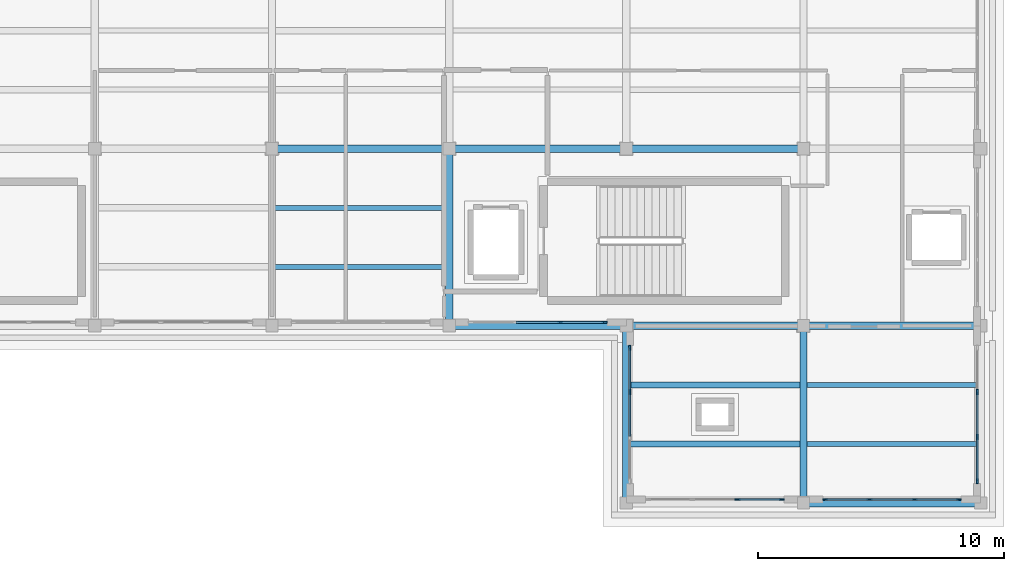
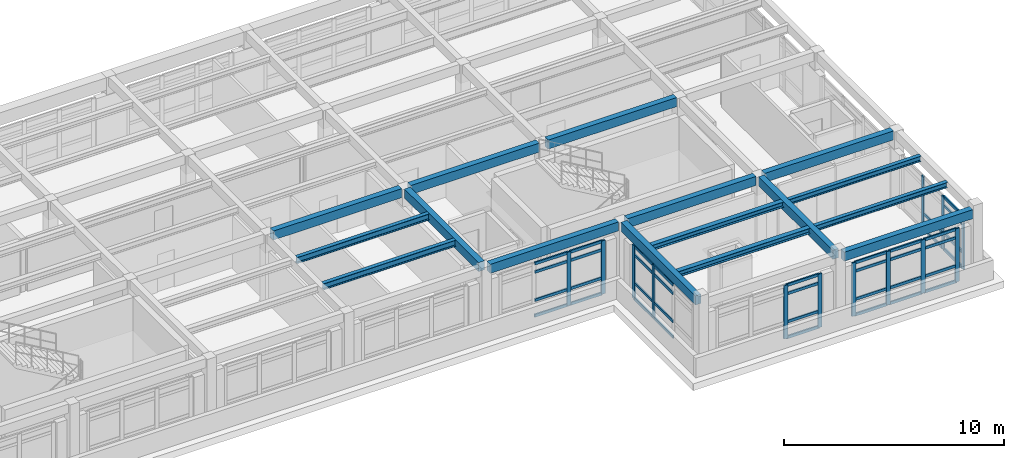
# One storey, part 6 of 18: 51 members, 16 beams, 5 elements without a shape of their own.
"""IFC4 building model written with IfcOpenShell, lengths in metres."""

from ifc_helpers import new_model, si_unit, direction, frame, origin, origin_2d, place, context, subcontext, project, spatial, rectangle, i_section, extrude, material, layer, layer_set, material_profile, profile_set, type_object, element, aggregate, save


model = new_model("IFC4")

# Units and contexts
model_context = context("Model", 3, precision=1e-05, world=origin(), true_north=direction((0.0, 1.0)))
body_context = subcontext(model_context, "Body", "Model", "MODEL_VIEW")
ifc_project = project(units=[si_unit("LENGTHUNIT", "METRE"), si_unit("AREAUNIT", "SQUARE_METRE"), si_unit("VOLUMEUNIT", "CUBIC_METRE"), si_unit("PLANEANGLEUNIT", "RADIAN"), si_unit("MASSUNIT", "GRAM", prefix="KILO")], contexts=[model_context])

# Site, building, storey
site_placement = place(None, origin())
site = spatial("IfcSite", under=ifc_project, at=site_placement, CompositionType="ELEMENT")
building_placement = place(site_placement, origin())
building = spatial("IfcBuilding", under=site, at=building_placement, Name="Solenvale Faculty of Natural Sciences", CompositionType="ELEMENT")
storey_placement = place(building_placement, frame((0.0, 0.0, 43.800048828125)))
storey = spatial("IfcBuildingStorey", under=building, at=storey_placement, Name="L10", CompositionType="ELEMENT", Elevation=43.800048828125)

# Beams
ifc_material_1 = material(Name="Concrete 40 MPa", Category="concrete")
ifc_material_profile_1 = material_profile(ifc_material_1, rectangle(XDim=0.300048828125, YDim=0.5, at=origin_2d()), Name="RC-BM-300x500")
ifc_profile_set_1 = profile_set([ifc_material_profile_1], Name="Concrete 40 MPa")
beam_type_1 = type_object("IfcBeamType", Name="BM-RC-300x500", PredefinedType="BEAM", material=ifc_profile_set_1)
for number, where, z_axis, x_axis, name in (
    (1, (144.22998046875, 86.39990234375, 3.669921875), (1.0, 0.0, 0.0), (0.0, 1.0, 0.0), "L10 X-Girder Y86.4 (144.0..151.2)"),
    (2, (129.830078125, 93.60009765625, 3.669921875), (1.0, 0.0, 0.0), (0.0, 1.0, 0.0), "L10 X-Girder Y93.6 (129.6..136.8)"),
    (3, (137.030029296875, 93.60009765625, 3.669921875), (1.0, 0.0, 0.0), (0.0, 1.0, 0.0), "L10 X-Girder Y93.6 (136.8..144.0)"),
    (4, (144.22998046875, 93.60009765625, 3.669921875), (1.0, 0.0, 0.0), (0.0, 1.0, 0.0), "L10 X-Girder Y93.6 (144.0..151.2)"),
):
    element("IfcBeam", number, at=place(storey_placement, frame(where, z_axis=z_axis, x_axis=x_axis)), inside=storey, type_object=beam_type_1, Name=name, PredefinedType="BEAM", context=body_context, shape_type="SweptSolid", body=[
        extrude(rectangle(XDim=0.300048828125, YDim=0.5, at=origin_2d()), origin(), (0.0, 0.0, 1.0), 6.739990234375),
    ])
beam_placement = place(storey_placement, frame((122.6298828125, 100.800048828125, 3.669921875), z_axis=(1.0, 0.0, 0.0), x_axis=(0.0, 1.0, 0.0)))
element("IfcBeam", 5, at=beam_placement, inside=storey, type_object=beam_type_1, Name="L10 X-Girder Y100.8 (122.4..129.6)", PredefinedType="BEAM", context=body_context, shape_type="SweptSolid", body=[
    extrude(rectangle(XDim=0.300048828125, YDim=0.5, at=origin_2d()), origin(), (0.0, 0.0, 1.0), 6.740234375),
])
for number, where, z_axis, x_axis, name in (
    (6, (129.830078125, 100.800048828125, 3.669921875), (1.0, 0.0, 0.0), (0.0, 1.0, 0.0), "L10 X-Girder Y100.8 (129.6..136.8)"),
    (7, (137.030029296875, 100.800048828125, 3.669921875), (1.0, 0.0, 0.0), (0.0, 1.0, 0.0), "L10 X-Girder Y100.8 (136.8..144.0)"),
    (8, (129.60009765625, 93.830078125, 3.669921875), (0.0, 1.0, 0.0), (-1.0, 0.0, 0.0), "L10 Y-Girder X129.6 (93.6..100.8)"),
):
    element("IfcBeam", number, at=place(storey_placement, frame(where, z_axis=z_axis, x_axis=x_axis)), inside=storey, type_object=beam_type_1, Name=name, PredefinedType="BEAM", context=body_context, shape_type="SweptSolid", body=[
        extrude(rectangle(XDim=0.300048828125, YDim=0.5, at=origin_2d()), origin(), (0.0, 0.0, 1.0), 6.739990234375),
    ])
for number, where, z_axis, x_axis, name in (
    (9, (136.800048828125, 86.6298828125, 3.669921875), (0.0, 1.0, 0.0), (-1.0, 0.0, 0.0), "L10 Y-Girder X136.8 (86.4..93.6)"),
    (10, (144.0, 86.6298828125, 3.669921875), (0.0, 1.0, 0.0), (-1.0, 0.0, 0.0), "L10 Y-Girder X144.0 (86.4..93.6)"),
):
    element("IfcBeam", number, at=place(storey_placement, frame(where, z_axis=z_axis, x_axis=x_axis)), inside=storey, type_object=beam_type_1, Name=name, PredefinedType="BEAM", context=body_context, shape_type="SweptSolid", body=[
        extrude(rectangle(XDim=0.300048828125, YDim=0.5, at=origin_2d()), origin(), (0.0, 0.0, 1.0), 6.740234375),
    ])
ifc_material_2 = material(Name="Steel S355", Category="steel")
ifc_material_profile_2 = material_profile(ifc_material_2, i_section(OverallWidth=0.202880859375, OverallDepth=0.302978515625, WebThickness=0.007568359375, FlangeThickness=0.01318359375, FilletRadius=0.014892578125, at=origin_2d()), Name="W310x60")
ifc_profile_set_2 = profile_set([ifc_material_profile_2], Name="Steel S355")
beam_type_2 = type_object("IfcBeamType", Name="BM-STL-W310x60", PredefinedType="JOIST", material=ifc_profile_set_2)
for number, where, z_axis, x_axis, name in (
    (11, (144.1298828125, 88.800048828125, 3.7685546875), (1.0, 0.0, 0.0), (0.0, 1.0, 0.0), "L10 Composite Floor Joist (21,13).1"),
    (12, (144.1298828125, 91.199951171875, 3.7685546875), (1.0, 0.0, 0.0), (0.0, 1.0, 0.0), "L10 Composite Floor Joist (21,13).2"),
):
    element("IfcBeam", number, at=place(storey_placement, frame(where, z_axis=z_axis, x_axis=x_axis)), inside=storey, type_object=beam_type_2, Name=name, PredefinedType="JOIST", context=body_context, shape_type="SweptSolid", body=[
        extrude(i_section(OverallWidth=0.202880859375, OverallDepth=0.302978515625, WebThickness=0.007568359375, FlangeThickness=0.01318359375, FilletRadius=0.014892578125, at=origin_2d()), origin(), (0.0, 0.0, 1.0), 6.940185546875),
    ])
ifc_material_profile_3 = material_profile(ifc_material_2, i_section(OverallWidth=0.25390625, OverallDepth=0.305908203125, WebThickness=0.0087890625, FlangeThickness=0.0146484375, FilletRadius=0.014892578125, at=origin_2d()), Name="W310x79")
ifc_profile_set_3 = profile_set([ifc_material_profile_3], Name="Steel S355")
beam_type_3 = type_object("IfcBeamType", Name="BM-STL-W310x79", PredefinedType="JOIST", material=ifc_profile_set_3)
for number, where, z_axis, x_axis, name in (
    (13, (136.929931640625, 88.800048828125, 3.766845703125), (1.0, 0.0, 0.0), (0.0, 1.0, 0.0), "L10 Composite Floor Joist (20,13).1"),
    (14, (136.929931640625, 91.199951171875, 3.766845703125), (1.0, 0.0, 0.0), (0.0, 1.0, 0.0), "L10 Composite Floor Joist (20,13).2"),
):
    element("IfcBeam", number, at=place(storey_placement, frame(where, z_axis=z_axis, x_axis=x_axis)), inside=storey, type_object=beam_type_3, Name=name, PredefinedType="JOIST", context=body_context, shape_type="SweptSolid", body=[
        extrude(i_section(OverallWidth=0.25390625, OverallDepth=0.305908203125, WebThickness=0.0087890625, FlangeThickness=0.0146484375, FilletRadius=0.014892578125, at=origin_2d()), origin(), (0.0, 0.0, 1.0), 6.940185546875),
    ])
ifc_material_profile_4 = material_profile(ifc_material_2, i_section(OverallWidth=0.2041015625, OverallDepth=0.35009765625, WebThickness=0.008544921875, FlangeThickness=0.01513671875, FilletRadius=0.014892578125, at=origin_2d()), Name="W360x72")
ifc_profile_set_4 = profile_set([ifc_material_profile_4], Name="Steel S355")
beam_type_4 = type_object("IfcBeamType", Name="BM-STL-W360x72", PredefinedType="JOIST", material=ifc_profile_set_4)
for number, where, z_axis, x_axis, name in (
    (15, (122.530029296875, 96.0, 3.744873046875), (1.0, 0.0, 0.0), (0.0, 1.0, 0.0), "L10 Composite Floor Joist (18,14).1"),
    (16, (122.530029296875, 98.39990234375, 3.744873046875), (1.0, 0.0, 0.0), (0.0, 1.0, 0.0), "L10 Composite Floor Joist (18,14).2"),
):
    element("IfcBeam", number, at=place(storey_placement, frame(where, z_axis=z_axis, x_axis=x_axis)), inside=storey, type_object=beam_type_4, Name=name, PredefinedType="JOIST", context=body_context, shape_type="SweptSolid", body=[
        extrude(i_section(OverallWidth=0.2041015625, OverallDepth=0.35009765625, WebThickness=0.008544921875, FlangeThickness=0.01513671875, FilletRadius=0.014892578125, at=origin_2d()), origin(), (0.0, 0.0, 1.0), 6.93994140625),
    ])

# Curtain wall, members
ifc_material_3 = material(Name="Anodised bronze aluminium", Category="aluminium")
ifc_layer = layer(ifc_material_3, 0.179931640625)
ifc_layer_set = layer_set([ifc_layer], Name="Anodised bronze aluminium")
curtain_wall_type = type_object("IfcCurtainWallType", Name="CW-TWR-MOD", PredefinedType="USERDEFINED", material=ifc_layer_set)
curtain_wall_1_placement = place(storey_placement, origin())
curtain_wall_1 = element("IfcCurtainWall", 17, at=curtain_wall_1_placement, inside=storey, type_object=curtain_wall_type, Name="L10 Curtain Wall CW-L10-P1-E4-B6", ObjectType="UNITISED CURTAIN WALL", PredefinedType="USERDEFINED")
ifc_material_profile_5 = material_profile(ifc_material_3, rectangle(XDim=0.074951171875, YDim=0.2099609375, at=origin_2d()), Name="ALU-MUL-75x210")
ifc_profile_set_5 = profile_set([ifc_material_profile_5], Name="Anodised bronze aluminium")
member_type_1 = type_object("IfcMemberType", Name="CWM-ALU-75x210", PredefinedType="MULLION", material=ifc_profile_set_5)
member_1_placement = place(storey_placement, frame((134.11669921875, 93.742431640625, 0.0), z_axis=(0.0, 0.0, 1.0), x_axis=(0.0, 1.0, 0.0)))
member_1 = element("IfcMember", 18, at=member_1_placement, type_object=member_type_1, Name="CW-04 mullion 3", PredefinedType="MULLION", context=body_context, shape_type="SweptSolid", body=[
    extrude(rectangle(XDim=0.074951171875, YDim=0.2099609375, at=origin_2d()), origin(), (0.0, 0.0, 1.0), 2.9599609375),
])
member_2_placement = place(storey_placement, frame((135.91259765625, 93.742431640625, 0.0), z_axis=(0.0, 0.0, 1.0), x_axis=(0.0, 1.0, 0.0)))
member_2 = element("IfcMember", 19, at=member_2_placement, type_object=member_type_1, Name="CW-04 mullion 4", PredefinedType="MULLION", context=body_context, shape_type="SweptSolid", body=[
    extrude(rectangle(XDim=0.074951171875, YDim=0.2099609375, at=origin_2d()), origin(), (0.0, 0.0, 1.0), 2.9599609375),
])

curtain_wall_2_placement = place(storey_placement, origin())
curtain_wall_2 = element("IfcCurtainWall", 20, at=curtain_wall_2_placement, inside=storey, type_object=curtain_wall_type, Name="L10 Curtain Wall CW-L10-P1-E5-B1", ObjectType="UNITISED CURTAIN WALL", PredefinedType="USERDEFINED")
member_3_placement = place(storey_placement, frame((136.9423828125, 92.71240234375, 0.0), z_axis=(0.0, 0.0, 1.0), x_axis=(1.0, 0.0, 0.0)))
member_3 = element("IfcMember", 21, at=member_3_placement, type_object=member_type_1, Name="CW-04 mullion 1", PredefinedType="MULLION", context=body_context, shape_type="SweptSolid", body=[
    extrude(rectangle(XDim=0.074951171875, YDim=0.2099609375, at=origin_2d()), origin(), (0.0, 0.0, 1.0), 2.9599609375),
])
member_4_placement = place(storey_placement, frame((136.9423828125, 90.916748046875, 0.0), z_axis=(0.0, 0.0, 1.0), x_axis=(1.0, 0.0, 0.0)))
member_4 = element("IfcMember", 22, at=member_4_placement, type_object=member_type_1, Name="CW-04 mullion 2", PredefinedType="MULLION", context=body_context, shape_type="SweptSolid", body=[
    extrude(rectangle(XDim=0.074951171875, YDim=0.2099609375, at=origin_2d()), origin(), (0.0, 0.0, 1.0), 2.9599609375),
])

curtain_wall_3_placement = place(storey_placement, origin())
curtain_wall_3 = element("IfcCurtainWall", 23, at=curtain_wall_3_placement, inside=storey, type_object=curtain_wall_type, Name="L10 Curtain Wall CW-L10-P1-E6-B1", ObjectType="UNITISED CURTAIN WALL", PredefinedType="USERDEFINED")
member_5_placement = place(storey_placement, frame((141.316650390625, 86.54248046875, 0.0), z_axis=(0.0, 0.0, 1.0), x_axis=(0.0, 1.0, 0.0)))
member_5 = element("IfcMember", 24, at=member_5_placement, type_object=member_type_1, Name="CW-04 mullion 3", PredefinedType="MULLION", context=body_context, shape_type="SweptSolid", body=[
    extrude(rectangle(XDim=0.074951171875, YDim=0.2099609375, at=origin_2d()), origin(), (0.0, 0.0, 1.0), 2.9599609375),
])
member_6_placement = place(storey_placement, frame((143.112548828125, 86.54248046875, 0.0), z_axis=(0.0, 0.0, 1.0), x_axis=(0.0, 1.0, 0.0)))
member_6 = element("IfcMember", 25, at=member_6_placement, type_object=member_type_1, Name="CW-04 mullion 4", PredefinedType="MULLION", context=body_context, shape_type="SweptSolid", body=[
    extrude(rectangle(XDim=0.074951171875, YDim=0.2099609375, at=origin_2d()), origin(), (0.0, 0.0, 1.0), 2.9599609375),
])

curtain_wall_4_placement = place(storey_placement, origin())
curtain_wall_4 = element("IfcCurtainWall", 26, at=curtain_wall_4_placement, inside=storey, type_object=curtain_wall_type, Name="L10 Curtain Wall CW-L10-P1-E6-B2", ObjectType="UNITISED CURTAIN WALL", PredefinedType="USERDEFINED")
member_7_placement = place(storey_placement, frame((144.887451171875, 86.54248046875, 0.0), z_axis=(0.0, 0.0, 1.0), x_axis=(0.0, 1.0, 0.0)))
member_7 = element("IfcMember", 27, at=member_7_placement, type_object=member_type_1, Name="CW-04 mullion 1", PredefinedType="MULLION", context=body_context, shape_type="SweptSolid", body=[
    extrude(rectangle(XDim=0.074951171875, YDim=0.2099609375, at=origin_2d()), origin(), (0.0, 0.0, 1.0), 2.9599609375),
])
member_8_placement = place(storey_placement, frame((146.683349609375, 86.54248046875, 0.0), z_axis=(0.0, 0.0, 1.0), x_axis=(0.0, 1.0, 0.0)))
member_8 = element("IfcMember", 28, at=member_8_placement, type_object=member_type_1, Name="CW-04 mullion 2", PredefinedType="MULLION", context=body_context, shape_type="SweptSolid", body=[
    extrude(rectangle(XDim=0.074951171875, YDim=0.2099609375, at=origin_2d()), origin(), (0.0, 0.0, 1.0), 2.9599609375),
])
member_9_placement = place(storey_placement, frame((148.5166015625, 86.54248046875, 0.0), z_axis=(0.0, 0.0, 1.0), x_axis=(0.0, 1.0, 0.0)))
member_9 = element("IfcMember", 29, at=member_9_placement, type_object=member_type_1, Name="CW-04 mullion 3", PredefinedType="MULLION", context=body_context, shape_type="SweptSolid", body=[
    extrude(rectangle(XDim=0.074951171875, YDim=0.2099609375, at=origin_2d()), origin(), (0.0, 0.0, 1.0), 2.9599609375),
])
member_10_placement = place(storey_placement, frame((150.3125, 86.54248046875, 0.0), z_axis=(0.0, 0.0, 1.0), x_axis=(0.0, 1.0, 0.0)))
member_10 = element("IfcMember", 30, at=member_10_placement, type_object=member_type_1, Name="CW-04 mullion 4", PredefinedType="MULLION", context=body_context, shape_type="SweptSolid", body=[
    extrude(rectangle(XDim=0.074951171875, YDim=0.2099609375, at=origin_2d()), origin(), (0.0, 0.0, 1.0), 2.9599609375),
])

curtain_wall_5_placement = place(storey_placement, origin())
curtain_wall_5 = element("IfcCurtainWall", 31, at=curtain_wall_5_placement, inside=storey, type_object=curtain_wall_type, Name="L10 Curtain Wall CW-L10-P1-E7-B1", ObjectType="UNITISED CURTAIN WALL", PredefinedType="USERDEFINED")
member_11_placement = place(storey_placement, frame((151.0576171875, 87.28759765625, 0.0), z_axis=(0.0, 0.0, 1.0), x_axis=(-1.0, 0.0, 0.0)))
member_11 = element("IfcMember", 32, at=member_11_placement, type_object=member_type_1, Name="CW-04 mullion 1", PredefinedType="MULLION", context=body_context, shape_type="SweptSolid", body=[
    extrude(rectangle(XDim=0.074951171875, YDim=0.2099609375, at=origin_2d()), origin(), (0.0, 0.0, 1.0), 2.9599609375),
])
member_12_placement = place(storey_placement, frame((151.0576171875, 89.083251953125, 0.0), z_axis=(0.0, 0.0, 1.0), x_axis=(-1.0, 0.0, 0.0)))
member_12 = element("IfcMember", 33, at=member_12_placement, type_object=member_type_1, Name="CW-04 mullion 2", PredefinedType="MULLION", context=body_context, shape_type="SweptSolid", body=[
    extrude(rectangle(XDim=0.074951171875, YDim=0.2099609375, at=origin_2d()), origin(), (0.0, 0.0, 1.0), 2.9599609375),
])
member_13_placement = place(storey_placement, frame((151.0576171875, 90.916748046875, 0.0), z_axis=(0.0, 0.0, 1.0), x_axis=(-1.0, 0.0, 0.0)))
member_13 = element("IfcMember", 34, at=member_13_placement, type_object=member_type_1, Name="CW-04 mullion 3", PredefinedType="MULLION", context=body_context, shape_type="SweptSolid", body=[
    extrude(rectangle(XDim=0.074951171875, YDim=0.2099609375, at=origin_2d()), origin(), (0.0, 0.0, 1.0), 2.9599609375),
])

# Member
ifc_material_profile_6 = material_profile(ifc_material_3, rectangle(XDim=0.074951171875, YDim=0.155029296875, at=origin_2d()), Name="ALU-TRN-75x155")
ifc_profile_set_6 = profile_set([ifc_material_profile_6], Name="Anodised bronze aluminium")
member_type_2 = type_object("IfcMemberType", Name="CWT-ALU-75x155", PredefinedType="USERDEFINED", material=ifc_profile_set_6)
member_14_placement = place(storey_placement, frame((132.32080078125, 93.742431640625, 0.037353515625), z_axis=(1.0, 0.0, 0.0), x_axis=(0.0, 1.0, 0.0)))
member_14 = element("IfcMember", 35, at=member_14_placement, type_object=member_type_2, Name="CW-04 transom 2.1", ObjectType="TRANSOM", PredefinedType="USERDEFINED", context=body_context, shape_type="SweptSolid", body=[
    extrude(rectangle(XDim=0.074951171875, YDim=0.155029296875, at=origin_2d()), origin(), (0.0, 0.0, 1.0), 1.75830078125),
])

member_15_placement = place(storey_placement, frame((132.32080078125, 93.742431640625, 0.89990234375), z_axis=(1.0, 0.0, 0.0), x_axis=(0.0, 1.0, 0.0)))
member_15 = element("IfcMember", 36, at=member_15_placement, type_object=member_type_2, Name="CW-04 transom 2.2", ObjectType="TRANSOM", PredefinedType="USERDEFINED", context=body_context, shape_type="SweptSolid", body=[
    extrude(rectangle(XDim=0.074951171875, YDim=0.155029296875, at=origin_2d()), origin(), (0.0, 0.0, 1.0), 1.75830078125),
])

member_16_placement = place(storey_placement, frame((132.32080078125, 93.742431640625, 2.4599609375), z_axis=(1.0, 0.0, 0.0), x_axis=(0.0, 1.0, 0.0)))
member_16 = element("IfcMember", 37, at=member_16_placement, type_object=member_type_2, Name="CW-04 transom 2.3", ObjectType="TRANSOM", PredefinedType="USERDEFINED", context=body_context, shape_type="SweptSolid", body=[
    extrude(rectangle(XDim=0.074951171875, YDim=0.155029296875, at=origin_2d()), origin(), (0.0, 0.0, 1.0), 1.75830078125),
])

member_17_placement = place(storey_placement, frame((132.32080078125, 93.742431640625, 2.92236328125), z_axis=(1.0, 0.0, 0.0), x_axis=(0.0, 1.0, 0.0)))
member_17 = element("IfcMember", 38, at=member_17_placement, type_object=member_type_2, Name="CW-04 transom 2.4", ObjectType="TRANSOM", PredefinedType="USERDEFINED", context=body_context, shape_type="SweptSolid", body=[
    extrude(rectangle(XDim=0.074951171875, YDim=0.155029296875, at=origin_2d()), origin(), (0.0, 0.0, 1.0), 1.75830078125),
])

member_18_placement = place(storey_placement, frame((134.154052734375, 93.742431640625, 0.037353515625), z_axis=(1.0, 0.0, 0.0), x_axis=(0.0, 1.0, 0.0)))
member_18 = element("IfcMember", 39, at=member_18_placement, type_object=member_type_2, Name="CW-04 transom 3.1", ObjectType="TRANSOM", PredefinedType="USERDEFINED", context=body_context, shape_type="SweptSolid", body=[
    extrude(rectangle(XDim=0.074951171875, YDim=0.155029296875, at=origin_2d()), origin(), (0.0, 0.0, 1.0), 1.720947265625),
])

member_19_placement = place(storey_placement, frame((134.154052734375, 93.742431640625, 0.89990234375), z_axis=(1.0, 0.0, 0.0), x_axis=(0.0, 1.0, 0.0)))
member_19 = element("IfcMember", 40, at=member_19_placement, type_object=member_type_2, Name="CW-04 transom 3.2", ObjectType="TRANSOM", PredefinedType="USERDEFINED", context=body_context, shape_type="SweptSolid", body=[
    extrude(rectangle(XDim=0.074951171875, YDim=0.155029296875, at=origin_2d()), origin(), (0.0, 0.0, 1.0), 1.720947265625),
])

member_20_placement = place(storey_placement, frame((134.154052734375, 93.742431640625, 2.4599609375), z_axis=(1.0, 0.0, 0.0), x_axis=(0.0, 1.0, 0.0)))
member_20 = element("IfcMember", 41, at=member_20_placement, type_object=member_type_2, Name="CW-04 transom 3.3", ObjectType="TRANSOM", PredefinedType="USERDEFINED", context=body_context, shape_type="SweptSolid", body=[
    extrude(rectangle(XDim=0.074951171875, YDim=0.155029296875, at=origin_2d()), origin(), (0.0, 0.0, 1.0), 1.720947265625),
])

member_21_placement = place(storey_placement, frame((134.154052734375, 93.742431640625, 2.92236328125), z_axis=(1.0, 0.0, 0.0), x_axis=(0.0, 1.0, 0.0)))
member_21 = element("IfcMember", 42, at=member_21_placement, type_object=member_type_2, Name="CW-04 transom 3.4", ObjectType="TRANSOM", PredefinedType="USERDEFINED", context=body_context, shape_type="SweptSolid", body=[
    extrude(rectangle(XDim=0.074951171875, YDim=0.155029296875, at=origin_2d()), origin(), (0.0, 0.0, 1.0), 1.720947265625),
])

aggregate(curtain_wall_1, [member_1, member_2, member_14, member_15, member_16, member_17, member_18, member_19, member_20, member_21])

member_22_placement = place(storey_placement, frame((136.9423828125, 92.675048828125, 0.037353515625), z_axis=(0.0, -1.0, 0.0), x_axis=(1.0, 0.0, 0.0)))
member_22 = element("IfcMember", 43, at=member_22_placement, type_object=member_type_2, Name="CW-04 transom 1.1", ObjectType="TRANSOM", PredefinedType="USERDEFINED", context=body_context, shape_type="SweptSolid", body=[
    extrude(rectangle(XDim=0.074951171875, YDim=0.155029296875, at=origin_2d()), origin(), (0.0, 0.0, 1.0), 1.720947265625),
])

member_23_placement = place(storey_placement, frame((136.9423828125, 92.675048828125, 0.89990234375), z_axis=(0.0, -1.0, 0.0), x_axis=(1.0, 0.0, 0.0)))
member_23 = element("IfcMember", 44, at=member_23_placement, type_object=member_type_2, Name="CW-04 transom 1.2", ObjectType="TRANSOM", PredefinedType="USERDEFINED", context=body_context, shape_type="SweptSolid", body=[
    extrude(rectangle(XDim=0.074951171875, YDim=0.155029296875, at=origin_2d()), origin(), (0.0, 0.0, 1.0), 1.720947265625),
])

member_24_placement = place(storey_placement, frame((136.9423828125, 92.675048828125, 2.4599609375), z_axis=(0.0, -1.0, 0.0), x_axis=(1.0, 0.0, 0.0)))
member_24 = element("IfcMember", 45, at=member_24_placement, type_object=member_type_2, Name="CW-04 transom 1.3", ObjectType="TRANSOM", PredefinedType="USERDEFINED", context=body_context, shape_type="SweptSolid", body=[
    extrude(rectangle(XDim=0.074951171875, YDim=0.155029296875, at=origin_2d()), origin(), (0.0, 0.0, 1.0), 1.720947265625),
])

member_25_placement = place(storey_placement, frame((136.9423828125, 92.675048828125, 2.92236328125), z_axis=(0.0, -1.0, 0.0), x_axis=(1.0, 0.0, 0.0)))
member_25 = element("IfcMember", 46, at=member_25_placement, type_object=member_type_2, Name="CW-04 transom 1.4", ObjectType="TRANSOM", PredefinedType="USERDEFINED", context=body_context, shape_type="SweptSolid", body=[
    extrude(rectangle(XDim=0.074951171875, YDim=0.155029296875, at=origin_2d()), origin(), (0.0, 0.0, 1.0), 1.720947265625),
])

member_26_placement = place(storey_placement, frame((136.9423828125, 90.879150390625, 0.037353515625), z_axis=(0.0, -1.0, 0.0), x_axis=(1.0, 0.0, 0.0)))
member_26 = element("IfcMember", 47, at=member_26_placement, type_object=member_type_2, Name="CW-04 transom 2.1", ObjectType="TRANSOM", PredefinedType="USERDEFINED", context=body_context, shape_type="SweptSolid", body=[
    extrude(rectangle(XDim=0.074951171875, YDim=0.155029296875, at=origin_2d()), origin(), (0.0, 0.0, 1.0), 1.75830078125),
])

member_27_placement = place(storey_placement, frame((136.9423828125, 90.879150390625, 0.89990234375), z_axis=(0.0, -1.0, 0.0), x_axis=(1.0, 0.0, 0.0)))
member_27 = element("IfcMember", 48, at=member_27_placement, type_object=member_type_2, Name="CW-04 transom 2.2", ObjectType="TRANSOM", PredefinedType="USERDEFINED", context=body_context, shape_type="SweptSolid", body=[
    extrude(rectangle(XDim=0.074951171875, YDim=0.155029296875, at=origin_2d()), origin(), (0.0, 0.0, 1.0), 1.75830078125),
])

member_28_placement = place(storey_placement, frame((136.9423828125, 90.879150390625, 2.4599609375), z_axis=(0.0, -1.0, 0.0), x_axis=(1.0, 0.0, 0.0)))
member_28 = element("IfcMember", 49, at=member_28_placement, type_object=member_type_2, Name="CW-04 transom 2.3", ObjectType="TRANSOM", PredefinedType="USERDEFINED", context=body_context, shape_type="SweptSolid", body=[
    extrude(rectangle(XDim=0.074951171875, YDim=0.155029296875, at=origin_2d()), origin(), (0.0, 0.0, 1.0), 1.75830078125),
])

member_29_placement = place(storey_placement, frame((136.9423828125, 90.879150390625, 2.92236328125), z_axis=(0.0, -1.0, 0.0), x_axis=(1.0, 0.0, 0.0)))
member_29 = element("IfcMember", 50, at=member_29_placement, type_object=member_type_2, Name="CW-04 transom 2.4", ObjectType="TRANSOM", PredefinedType="USERDEFINED", context=body_context, shape_type="SweptSolid", body=[
    extrude(rectangle(XDim=0.074951171875, YDim=0.155029296875, at=origin_2d()), origin(), (0.0, 0.0, 1.0), 1.75830078125),
])

aggregate(curtain_wall_2, [member_3, member_4, member_22, member_23, member_24, member_25, member_26, member_27, member_28, member_29])

member_30_placement = place(storey_placement, frame((141.354248046875, 86.54248046875, 0.037353515625), z_axis=(1.0, 0.0, 0.0), x_axis=(0.0, 1.0, 0.0)))
member_30 = element("IfcMember", 51, at=member_30_placement, type_object=member_type_2, Name="CW-04 transom 3.1", ObjectType="TRANSOM", PredefinedType="USERDEFINED", context=body_context, shape_type="SweptSolid", body=[
    extrude(rectangle(XDim=0.074951171875, YDim=0.155029296875, at=origin_2d()), origin(), (0.0, 0.0, 1.0), 1.720703125),
])

member_31_placement = place(storey_placement, frame((141.354248046875, 86.54248046875, 0.89990234375), z_axis=(1.0, 0.0, 0.0), x_axis=(0.0, 1.0, 0.0)))
member_31 = element("IfcMember", 52, at=member_31_placement, type_object=member_type_2, Name="CW-04 transom 3.2", ObjectType="TRANSOM", PredefinedType="USERDEFINED", context=body_context, shape_type="SweptSolid", body=[
    extrude(rectangle(XDim=0.074951171875, YDim=0.155029296875, at=origin_2d()), origin(), (0.0, 0.0, 1.0), 1.720703125),
])

member_32_placement = place(storey_placement, frame((141.354248046875, 86.54248046875, 2.4599609375), z_axis=(1.0, 0.0, 0.0), x_axis=(0.0, 1.0, 0.0)))
member_32 = element("IfcMember", 53, at=member_32_placement, type_object=member_type_2, Name="CW-04 transom 3.3", ObjectType="TRANSOM", PredefinedType="USERDEFINED", context=body_context, shape_type="SweptSolid", body=[
    extrude(rectangle(XDim=0.074951171875, YDim=0.155029296875, at=origin_2d()), origin(), (0.0, 0.0, 1.0), 1.720703125),
])

member_33_placement = place(storey_placement, frame((141.354248046875, 86.54248046875, 2.92236328125), z_axis=(1.0, 0.0, 0.0), x_axis=(0.0, 1.0, 0.0)))
member_33 = element("IfcMember", 54, at=member_33_placement, type_object=member_type_2, Name="CW-04 transom 3.4", ObjectType="TRANSOM", PredefinedType="USERDEFINED", context=body_context, shape_type="SweptSolid", body=[
    extrude(rectangle(XDim=0.074951171875, YDim=0.155029296875, at=origin_2d()), origin(), (0.0, 0.0, 1.0), 1.720703125),
])

aggregate(curtain_wall_3, [member_5, member_6, member_30, member_31, member_32, member_33])

member_34_placement = place(storey_placement, frame((144.925048828125, 86.54248046875, 0.037353515625), z_axis=(1.0, 0.0, 0.0), x_axis=(0.0, 1.0, 0.0)))
member_34 = element("IfcMember", 55, at=member_34_placement, type_object=member_type_2, Name="CW-04 transom 1.1", ObjectType="TRANSOM", PredefinedType="USERDEFINED", context=body_context, shape_type="SweptSolid", body=[
    extrude(rectangle(XDim=0.074951171875, YDim=0.155029296875, at=origin_2d()), origin(), (0.0, 0.0, 1.0), 1.720703125),
])

member_35_placement = place(storey_placement, frame((144.925048828125, 86.54248046875, 0.89990234375), z_axis=(1.0, 0.0, 0.0), x_axis=(0.0, 1.0, 0.0)))
member_35 = element("IfcMember", 56, at=member_35_placement, type_object=member_type_2, Name="CW-04 transom 1.2", ObjectType="TRANSOM", PredefinedType="USERDEFINED", context=body_context, shape_type="SweptSolid", body=[
    extrude(rectangle(XDim=0.074951171875, YDim=0.155029296875, at=origin_2d()), origin(), (0.0, 0.0, 1.0), 1.720703125),
])

member_36_placement = place(storey_placement, frame((144.925048828125, 86.54248046875, 2.4599609375), z_axis=(1.0, 0.0, 0.0), x_axis=(0.0, 1.0, 0.0)))
member_36 = element("IfcMember", 57, at=member_36_placement, type_object=member_type_2, Name="CW-04 transom 1.3", ObjectType="TRANSOM", PredefinedType="USERDEFINED", context=body_context, shape_type="SweptSolid", body=[
    extrude(rectangle(XDim=0.074951171875, YDim=0.155029296875, at=origin_2d()), origin(), (0.0, 0.0, 1.0), 1.720703125),
])

member_37_placement = place(storey_placement, frame((144.925048828125, 86.54248046875, 2.92236328125), z_axis=(1.0, 0.0, 0.0), x_axis=(0.0, 1.0, 0.0)))
member_37 = element("IfcMember", 58, at=member_37_placement, type_object=member_type_2, Name="CW-04 transom 1.4", ObjectType="TRANSOM", PredefinedType="USERDEFINED", context=body_context, shape_type="SweptSolid", body=[
    extrude(rectangle(XDim=0.074951171875, YDim=0.155029296875, at=origin_2d()), origin(), (0.0, 0.0, 1.0), 1.720703125),
])

member_38_placement = place(storey_placement, frame((146.720947265625, 86.54248046875, 0.037353515625), z_axis=(1.0, 0.0, 0.0), x_axis=(0.0, 1.0, 0.0)))
member_38 = element("IfcMember", 59, at=member_38_placement, type_object=member_type_2, Name="CW-04 transom 2.1", ObjectType="TRANSOM", PredefinedType="USERDEFINED", context=body_context, shape_type="SweptSolid", body=[
    extrude(rectangle(XDim=0.074951171875, YDim=0.155029296875, at=origin_2d()), origin(), (0.0, 0.0, 1.0), 1.75830078125),
])

member_39_placement = place(storey_placement, frame((146.720947265625, 86.54248046875, 0.89990234375), z_axis=(1.0, 0.0, 0.0), x_axis=(0.0, 1.0, 0.0)))
member_39 = element("IfcMember", 60, at=member_39_placement, type_object=member_type_2, Name="CW-04 transom 2.2", ObjectType="TRANSOM", PredefinedType="USERDEFINED", context=body_context, shape_type="SweptSolid", body=[
    extrude(rectangle(XDim=0.074951171875, YDim=0.155029296875, at=origin_2d()), origin(), (0.0, 0.0, 1.0), 1.75830078125),
])

member_40_placement = place(storey_placement, frame((146.720947265625, 86.54248046875, 2.4599609375), z_axis=(1.0, 0.0, 0.0), x_axis=(0.0, 1.0, 0.0)))
member_40 = element("IfcMember", 61, at=member_40_placement, type_object=member_type_2, Name="CW-04 transom 2.3", ObjectType="TRANSOM", PredefinedType="USERDEFINED", context=body_context, shape_type="SweptSolid", body=[
    extrude(rectangle(XDim=0.074951171875, YDim=0.155029296875, at=origin_2d()), origin(), (0.0, 0.0, 1.0), 1.75830078125),
])

member_41_placement = place(storey_placement, frame((146.720947265625, 86.54248046875, 2.92236328125), z_axis=(1.0, 0.0, 0.0), x_axis=(0.0, 1.0, 0.0)))
member_41 = element("IfcMember", 62, at=member_41_placement, type_object=member_type_2, Name="CW-04 transom 2.4", ObjectType="TRANSOM", PredefinedType="USERDEFINED", context=body_context, shape_type="SweptSolid", body=[
    extrude(rectangle(XDim=0.074951171875, YDim=0.155029296875, at=origin_2d()), origin(), (0.0, 0.0, 1.0), 1.75830078125),
])

member_42_placement = place(storey_placement, frame((148.55419921875, 86.54248046875, 0.037353515625), z_axis=(1.0, 0.0, 0.0), x_axis=(0.0, 1.0, 0.0)))
member_42 = element("IfcMember", 63, at=member_42_placement, type_object=member_type_2, Name="CW-04 transom 3.1", ObjectType="TRANSOM", PredefinedType="USERDEFINED", context=body_context, shape_type="SweptSolid", body=[
    extrude(rectangle(XDim=0.074951171875, YDim=0.155029296875, at=origin_2d()), origin(), (0.0, 0.0, 1.0), 1.720703125),
])

member_43_placement = place(storey_placement, frame((148.55419921875, 86.54248046875, 0.89990234375), z_axis=(1.0, 0.0, 0.0), x_axis=(0.0, 1.0, 0.0)))
member_43 = element("IfcMember", 64, at=member_43_placement, type_object=member_type_2, Name="CW-04 transom 3.2", ObjectType="TRANSOM", PredefinedType="USERDEFINED", context=body_context, shape_type="SweptSolid", body=[
    extrude(rectangle(XDim=0.074951171875, YDim=0.155029296875, at=origin_2d()), origin(), (0.0, 0.0, 1.0), 1.720703125),
])

member_44_placement = place(storey_placement, frame((148.55419921875, 86.54248046875, 2.4599609375), z_axis=(1.0, 0.0, 0.0), x_axis=(0.0, 1.0, 0.0)))
member_44 = element("IfcMember", 65, at=member_44_placement, type_object=member_type_2, Name="CW-04 transom 3.3", ObjectType="TRANSOM", PredefinedType="USERDEFINED", context=body_context, shape_type="SweptSolid", body=[
    extrude(rectangle(XDim=0.074951171875, YDim=0.155029296875, at=origin_2d()), origin(), (0.0, 0.0, 1.0), 1.720703125),
])

member_45_placement = place(storey_placement, frame((148.55419921875, 86.54248046875, 2.92236328125), z_axis=(1.0, 0.0, 0.0), x_axis=(0.0, 1.0, 0.0)))
member_45 = element("IfcMember", 66, at=member_45_placement, type_object=member_type_2, Name="CW-04 transom 3.4", ObjectType="TRANSOM", PredefinedType="USERDEFINED", context=body_context, shape_type="SweptSolid", body=[
    extrude(rectangle(XDim=0.074951171875, YDim=0.155029296875, at=origin_2d()), origin(), (0.0, 0.0, 1.0), 1.720703125),
])

aggregate(curtain_wall_4, [member_7, member_8, member_9, member_10, member_34, member_35, member_36, member_37, member_38, member_39, member_40, member_41, member_42, member_43, member_44, member_45])

member_46_placement = place(storey_placement, frame((151.0576171875, 87.324951171875, 0.037353515625), z_axis=(0.0, 1.0, 0.0), x_axis=(-1.0, 0.0, 0.0)))
member_46 = element("IfcMember", 67, at=member_46_placement, type_object=member_type_2, Name="CW-04 transom 1.1", ObjectType="TRANSOM", PredefinedType="USERDEFINED", context=body_context, shape_type="SweptSolid", body=[
    extrude(rectangle(XDim=0.074951171875, YDim=0.155029296875, at=origin_2d()), origin(), (0.0, 0.0, 1.0), 1.720947265625),
])

member_47_placement = place(storey_placement, frame((151.0576171875, 87.324951171875, 0.89990234375), z_axis=(0.0, 1.0, 0.0), x_axis=(-1.0, 0.0, 0.0)))
member_47 = element("IfcMember", 68, at=member_47_placement, type_object=member_type_2, Name="CW-04 transom 1.2", ObjectType="TRANSOM", PredefinedType="USERDEFINED", context=body_context, shape_type="SweptSolid", body=[
    extrude(rectangle(XDim=0.074951171875, YDim=0.155029296875, at=origin_2d()), origin(), (0.0, 0.0, 1.0), 1.720947265625),
])

member_48_placement = place(storey_placement, frame((151.0576171875, 87.324951171875, 2.4599609375), z_axis=(0.0, 1.0, 0.0), x_axis=(-1.0, 0.0, 0.0)))
member_48 = element("IfcMember", 69, at=member_48_placement, type_object=member_type_2, Name="CW-04 transom 1.3", ObjectType="TRANSOM", PredefinedType="USERDEFINED", context=body_context, shape_type="SweptSolid", body=[
    extrude(rectangle(XDim=0.074951171875, YDim=0.155029296875, at=origin_2d()), origin(), (0.0, 0.0, 1.0), 1.720947265625),
])

member_49_placement = place(storey_placement, frame((151.0576171875, 87.324951171875, 2.92236328125), z_axis=(0.0, 1.0, 0.0), x_axis=(-1.0, 0.0, 0.0)))
member_49 = element("IfcMember", 70, at=member_49_placement, type_object=member_type_2, Name="CW-04 transom 1.4", ObjectType="TRANSOM", PredefinedType="USERDEFINED", context=body_context, shape_type="SweptSolid", body=[
    extrude(rectangle(XDim=0.074951171875, YDim=0.155029296875, at=origin_2d()), origin(), (0.0, 0.0, 1.0), 1.720947265625),
])

member_50_placement = place(storey_placement, frame((151.0576171875, 89.120849609375, 0.037353515625), z_axis=(0.0, 1.0, 0.0), x_axis=(-1.0, 0.0, 0.0)))
member_50 = element("IfcMember", 71, at=member_50_placement, type_object=member_type_2, Name="CW-04 transom 2.1", ObjectType="TRANSOM", PredefinedType="USERDEFINED", context=body_context, shape_type="SweptSolid", body=[
    extrude(rectangle(XDim=0.074951171875, YDim=0.155029296875, at=origin_2d()), origin(), (0.0, 0.0, 1.0), 1.75830078125),
])

member_51_placement = place(storey_placement, frame((151.0576171875, 89.120849609375, 0.89990234375), z_axis=(0.0, 1.0, 0.0), x_axis=(-1.0, 0.0, 0.0)))
member_51 = element("IfcMember", 72, at=member_51_placement, type_object=member_type_2, Name="CW-04 transom 2.2", ObjectType="TRANSOM", PredefinedType="USERDEFINED", context=body_context, shape_type="SweptSolid", body=[
    extrude(rectangle(XDim=0.074951171875, YDim=0.155029296875, at=origin_2d()), origin(), (0.0, 0.0, 1.0), 1.75830078125),
])

aggregate(curtain_wall_5, [member_11, member_12, member_13, member_46, member_47, member_48, member_49, member_50, member_51])

save(model, "model.ifc")
